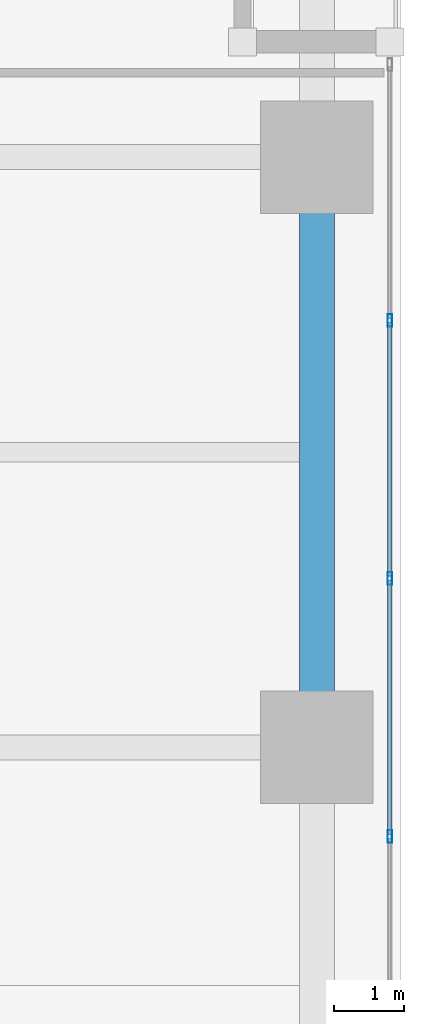
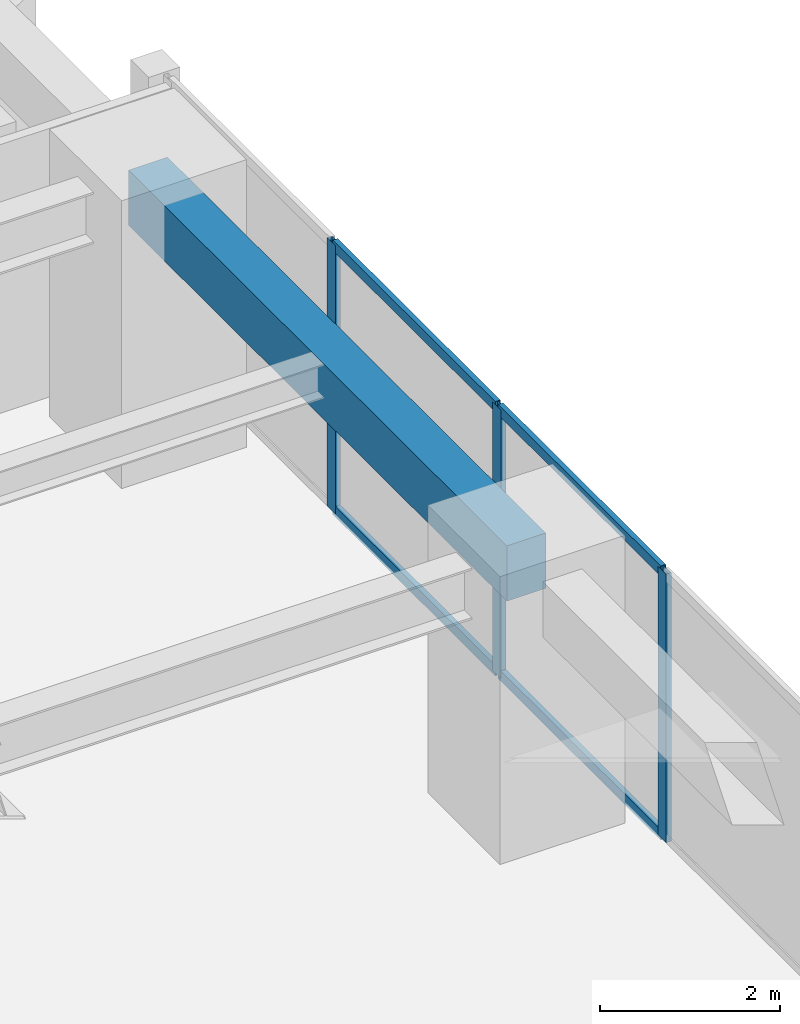
# One storey, part 8 of 28: 7 members, 1 beam, 1 element without a shape of its own.
"""IFC4 building model written with IfcOpenShell, lengths in metres."""

from ifc_helpers import new_model, si_unit, direction, frame, origin, origin_2d, place, context, subcontext, project, spatial, rectangle, hollow_rectangle, extrude, material, layer, layer_set, material_profile, profile_set, type_object, element, aggregate, save


model = new_model("IFC4")

# Units and contexts
model_context = context("Model", 3, precision=1e-05, world=origin(), true_north=direction((0.0, 1.0)))
body_context = subcontext(model_context, "Body", "Model", "MODEL_VIEW")
ifc_project = project(units=[si_unit("LENGTHUNIT", "METRE"), si_unit("AREAUNIT", "SQUARE_METRE"), si_unit("VOLUMEUNIT", "CUBIC_METRE"), si_unit("PLANEANGLEUNIT", "RADIAN"), si_unit("MASSUNIT", "GRAM", prefix="KILO")], contexts=[model_context])

# Site, building, storey
site_placement = place(None, origin())
site = spatial("IfcSite", under=ifc_project, at=site_placement, CompositionType="ELEMENT")
building_placement = place(site_placement, origin())
building = spatial("IfcBuilding", under=site, at=building_placement, Name="Kiyonajd Concourse Tower", CompositionType="ELEMENT")
storey_placement = place(building_placement, frame((0.0, 0.0, 56.699951171875)))
storey = spatial("IfcBuildingStorey", under=building, at=storey_placement, Name="L15", CompositionType="ELEMENT", Elevation=56.699951171875)

# Beam
ifc_material_1 = material(Name="Precast concrete C50/60", Category="concrete")
ifc_material_profile_1 = material_profile(ifc_material_1, rectangle(XDim=0.5, YDim=0.75, at=origin_2d()), Name="RCBM-500x750")
ifc_profile_set_1 = profile_set([ifc_material_profile_1], Name="Precast concrete C50/60")
beam_type = type_object("IfcBeamType", Name="BM-SPAN-RC", PredefinedType="SPANDREL", material=ifc_profile_set_1)
beam_placement = place(storey_placement, frame((78.0, 27.60009765625, 3.26513671875), z_axis=(0.0, 1.0, 0.0), x_axis=(-1.0, 0.0, 0.0)))
element("IfcBeam", 1, at=beam_placement, inside=storey, type_object=beam_type, Name="L15 Perimeter Bundled Tube Spandrel", PredefinedType="SPANDREL", context=body_context, shape_type="SweptSolid", body=[
    extrude(rectangle(XDim=0.5, YDim=0.75, at=origin_2d()), origin(), (0.0, 0.0, 1.0), 8.39990234375),
])

# Curtain wall, members
ifc_material_2 = material(Name="Thermally Broken Anodised Aluminium", Category="aluminium")
ifc_layer = layer(ifc_material_2, 0.179931640625)
ifc_layer_set = layer_set([ifc_layer], Name="Thermally Broken Anodised Aluminium")
curtain_wall_type = type_object("IfcCurtainWallType", Name="CW-SYS-02", PredefinedType="NOTDEFINED", material=ifc_layer_set)
curtain_wall_placement = place(storey_placement, origin())
curtain_wall = element("IfcCurtainWall", 2, at=curtain_wall_placement, inside=storey, type_object=curtain_wall_type, Name="L15 Unitised Curtain Wall CW2", PredefinedType="NOTDEFINED")
ifc_material_profile_2 = material_profile(ifc_material_2, hollow_rectangle(XDim=0.06494140625, YDim=0.179931640625, WallThickness=0.00390625, at=origin_2d()), Name="MULL-65x180")
ifc_profile_set_2 = profile_set([ifc_material_profile_2], Name="Thermally Broken Anodised Aluminium")
member_type_1 = type_object("IfcMemberType", Name="MB-CW-MULL1", PredefinedType="MULLION", material=ifc_profile_set_2)
member_1_placement = place(storey_placement, frame((79.0400390625, 33.6767578125, 0.0), z_axis=(0.0, 0.0, 1.0), x_axis=(1.0, 0.0, 0.0)))
member_1 = element("IfcMember", 3, at=member_1_placement, type_object=member_type_1, Name="CW2 mullion 2", PredefinedType="MULLION", context=body_context, shape_type="SweptSolid", body=[
    extrude(hollow_rectangle(XDim=0.06494140625, YDim=0.179931640625, WallThickness=0.00390625, at=origin_2d()), origin(), (0.0, 0.0, 1.0), 3.64013671875),
])
member_2_placement = place(storey_placement, frame((79.0400390625, 30.003662109375, 0.0), z_axis=(0.0, 0.0, 1.0), x_axis=(1.0, 0.0, 0.0)))
member_2 = element("IfcMember", 4, at=member_2_placement, type_object=member_type_1, Name="CW2 mullion 3", PredefinedType="MULLION", context=body_context, shape_type="SweptSolid", body=[
    extrude(hollow_rectangle(XDim=0.06494140625, YDim=0.179931640625, WallThickness=0.00390625, at=origin_2d()), origin(), (0.0, 0.0, 1.0), 3.64013671875),
])
member_3_placement = place(storey_placement, frame((79.0400390625, 26.33056640625, 0.0), z_axis=(0.0, 0.0, 1.0), x_axis=(1.0, 0.0, 0.0)))
member_3 = element("IfcMember", 5, at=member_3_placement, type_object=member_type_1, Name="CW2 mullion 4", PredefinedType="MULLION", context=body_context, shape_type="SweptSolid", body=[
    extrude(hollow_rectangle(XDim=0.06494140625, YDim=0.179931640625, WallThickness=0.00390625, at=origin_2d()), origin(), (0.0, 0.0, 1.0), 3.64013671875),
])
ifc_material_profile_3 = material_profile(ifc_material_2, hollow_rectangle(XDim=0.06494140625, YDim=0.139892578125, WallThickness=0.00390625, at=origin_2d()), Name="TRAN-65x140")
ifc_profile_set_3 = profile_set([ifc_material_profile_3], Name="Thermally Broken Anodised Aluminium")
member_type_2 = type_object("IfcMemberType", Name="MB-CW-TRAN1", PredefinedType="USERDEFINED", material=ifc_profile_set_3)
member_4_placement = place(storey_placement, frame((79.0400390625, 33.644287109375, 0.032470703125), z_axis=(0.0, -1.0, 0.0), x_axis=(1.0, 0.0, 0.0)))
member_4 = element("IfcMember", 6, at=member_4_placement, type_object=member_type_2, Name="CW2 transom 2.1", ObjectType="TRANSOM", PredefinedType="USERDEFINED", context=body_context, shape_type="SweptSolid", body=[
    extrude(hollow_rectangle(XDim=0.06494140625, YDim=0.139892578125, WallThickness=0.00390625, at=origin_2d()), origin(), (0.0, 0.0, 1.0), 3.608154296875),
])
member_5_placement = place(storey_placement, frame((79.0400390625, 33.644287109375, 3.607666015625), z_axis=(0.0, -1.0, 0.0), x_axis=(1.0, 0.0, 0.0)))
member_5 = element("IfcMember", 7, at=member_5_placement, type_object=member_type_2, Name="CW2 transom 2.2", ObjectType="TRANSOM", PredefinedType="USERDEFINED", context=body_context, shape_type="SweptSolid", body=[
    extrude(hollow_rectangle(XDim=0.06494140625, YDim=0.139892578125, WallThickness=0.00390625, at=origin_2d()), origin(), (0.0, 0.0, 1.0), 3.608154296875),
])
member_6_placement = place(storey_placement, frame((79.0400390625, 29.97119140625, 0.032470703125), z_axis=(0.0, -1.0, 0.0), x_axis=(1.0, 0.0, 0.0)))
member_6 = element("IfcMember", 8, at=member_6_placement, type_object=member_type_2, Name="CW2 transom 3.1", ObjectType="TRANSOM", PredefinedType="USERDEFINED", context=body_context, shape_type="SweptSolid", body=[
    extrude(hollow_rectangle(XDim=0.06494140625, YDim=0.139892578125, WallThickness=0.00390625, at=origin_2d()), origin(), (0.0, 0.0, 1.0), 3.608154296875),
])
member_7_placement = place(storey_placement, frame((79.0400390625, 29.97119140625, 3.607666015625), z_axis=(0.0, -1.0, 0.0), x_axis=(1.0, 0.0, 0.0)))
member_7 = element("IfcMember", 9, at=member_7_placement, type_object=member_type_2, Name="CW2 transom 3.2", ObjectType="TRANSOM", PredefinedType="USERDEFINED", context=body_context, shape_type="SweptSolid", body=[
    extrude(hollow_rectangle(XDim=0.06494140625, YDim=0.139892578125, WallThickness=0.00390625, at=origin_2d()), origin(), (0.0, 0.0, 1.0), 3.608154296875),
])
aggregate(curtain_wall, [member_1, member_2, member_3, member_4, member_5, member_6, member_7])

save(model, "model.ifc")
